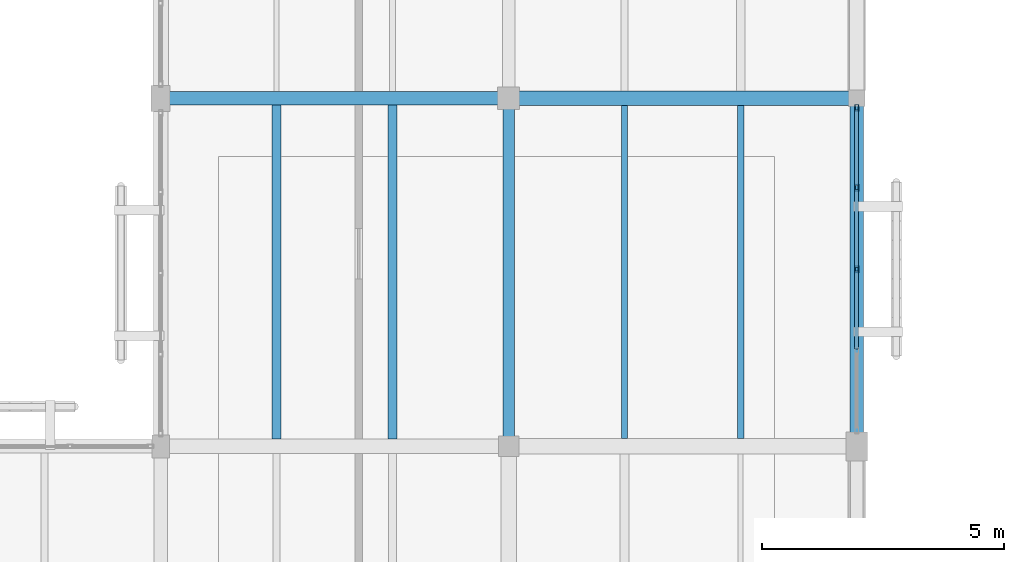
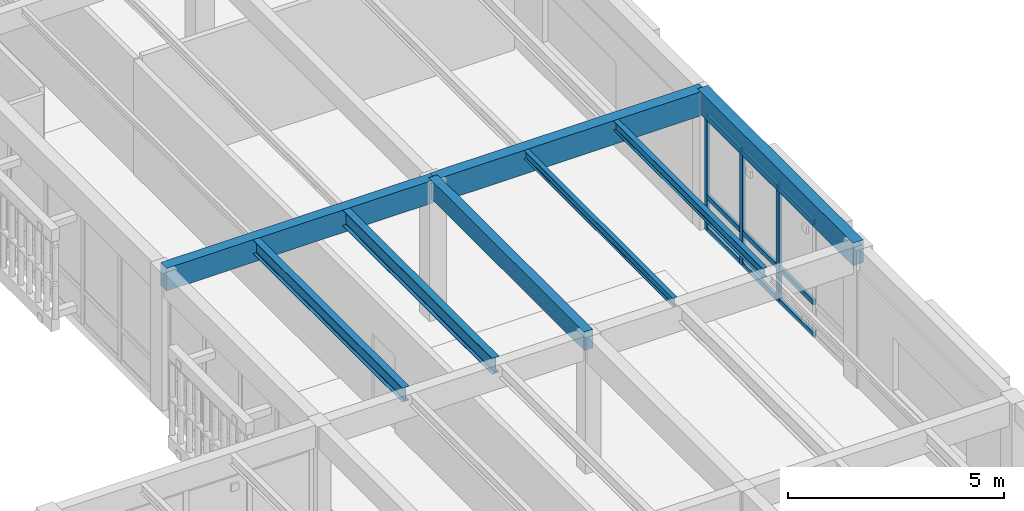
# One storey, part 35 of 217: 12 members, 8 beams, 1 element without a shape of its own.
"""IFC4 building model written with IfcOpenShell, lengths in metres."""

from ifc_helpers import new_model, si_unit, direction, frame, origin, origin_2d, place, context, subcontext, project, spatial, rectangle, hollow_rectangle, i_section, extrude, material, layer, layer_set, material_profile, profile_set, type_object, element, aggregate, save


model = new_model("IFC4")

# Units and contexts
model_context = context("Model", 3, precision=1e-05, world=origin(), true_north=direction((0.0, 1.0)))
body_context = subcontext(model_context, "Body", "Model", "MODEL_VIEW")
ifc_project = project(units=[si_unit("LENGTHUNIT", "METRE"), si_unit("AREAUNIT", "SQUARE_METRE"), si_unit("VOLUMEUNIT", "CUBIC_METRE"), si_unit("PLANEANGLEUNIT", "RADIAN"), si_unit("MASSUNIT", "GRAM", prefix="KILO")], contexts=[model_context])

# Site, building, storey
site_placement = place(None, origin())
site = spatial("IfcSite", under=ifc_project, at=site_placement, CompositionType="ELEMENT")
building_placement = place(site_placement, origin())
building = spatial("IfcBuilding", under=site, at=building_placement, Name="Mazaris Harbour Polytechnic", CompositionType="ELEMENT")
storey_placement = place(building_placement, frame((0.0, 0.0, 9.60009765625)))
storey = spatial("IfcBuildingStorey", under=building, at=storey_placement, Name="L02", CompositionType="ELEMENT", Elevation=9.60009765625)

# Curtain wall, members
ifc_material_1 = material(Name="Anodised Bronze Aluminium and Low-E Glass", Category="aluminium")
ifc_layer = layer(ifc_material_1, 0.159912109375, Name="Anodised Bronze Aluminium and Low-E Glass")
ifc_layer_set = layer_set([ifc_layer], Name="Anodised Bronze Aluminium and Low-E Glass")
curtain_wall_type = type_object("IfcCurtainWallType", Name="Cloister Court Curtain Wall", PredefinedType="NOTDEFINED", material=ifc_layer_set)
curtain_wall_placement = place(storey_placement, origin())
curtain_wall = element("IfcCurtainWall", 1, at=curtain_wall_placement, inside=storey, type_object=curtain_wall_type, Name="V4 L02 Curtain Wall 129", PredefinedType="NOTDEFINED")
ifc_material_2 = material(Name="Anodised Bronze Steel S355", Category="steel")
ifc_material_profile_1 = material_profile(ifc_material_2, hollow_rectangle(XDim=0.080078125, YDim=0.139892578125, WallThickness=0.00634765625, at=origin_2d()), Name="RHS 80x140x6.3")
ifc_profile_set_1 = profile_set([ifc_material_profile_1], Name="Anodised Bronze Steel S355")
member_type_1 = type_object("IfcMemberType", Name="Curtain Mullion RHS80x140", PredefinedType="MULLION", material=ifc_profile_set_1)
member_1_placement = place(storey_placement, frame((43.199951171875, 42.998046875, 0.0), z_axis=(0.0, 0.0, 1.0), x_axis=(1.0, 0.0, 0.0)))
member_1 = element("IfcMember", 2, at=member_1_placement, type_object=member_type_1, Name="CW-02 mullion 1", PredefinedType="MULLION", context=body_context, shape_type="SweptSolid", body=[
    extrude(hollow_rectangle(XDim=0.080078125, YDim=0.139892578125, WallThickness=0.00634765625, at=origin_2d()), origin(), (0.0, 0.0, 1.0), 3.239990234375),
])
member_2_placement = place(storey_placement, frame((43.199951171875, 41.3515625, 0.0), z_axis=(0.0, 0.0, 1.0), x_axis=(1.0, 0.0, 0.0)))
member_2 = element("IfcMember", 3, at=member_2_placement, type_object=member_type_1, Name="CW-02 mullion 2", PredefinedType="MULLION", context=body_context, shape_type="SweptSolid", body=[
    extrude(hollow_rectangle(XDim=0.080078125, YDim=0.139892578125, WallThickness=0.00634765625, at=origin_2d()), origin(), (0.0, 0.0, 1.0), 3.239990234375),
])
member_3_placement = place(storey_placement, frame((43.199951171875, 39.6650390625, 0.0), z_axis=(0.0, 0.0, 1.0), x_axis=(1.0, 0.0, 0.0)))
member_3 = element("IfcMember", 4, at=member_3_placement, type_object=member_type_1, Name="CW-02 mullion 3", PredefinedType="MULLION", context=body_context, shape_type="SweptSolid", body=[
    extrude(hollow_rectangle(XDim=0.080078125, YDim=0.139892578125, WallThickness=0.00634765625, at=origin_2d()), origin(), (0.0, 0.0, 1.0), 3.239990234375),
])
ifc_material_3 = material(Name="Anodised Bronze Steel S355", Category="steel")
ifc_material_profile_2 = material_profile(ifc_material_3, hollow_rectangle(XDim=0.080078125, YDim=0.139892578125, WallThickness=0.00634765625, at=origin_2d()), Name="RHS 80x140x6.3")
ifc_profile_set_2 = profile_set([ifc_material_profile_2], Name="Anodised Bronze Steel S355")
member_type_2 = type_object("IfcMemberType", Name="Curtain Transom RHS80x140", PredefinedType="USERDEFINED", material=ifc_profile_set_2)
member_4_placement = place(storey_placement, frame((43.199951171875, 42.9580078125, 0.039794921875), z_axis=(0.0, -1.0, 0.0), x_axis=(1.0, 0.0, 0.0)))
member_4 = element("IfcMember", 5, at=member_4_placement, type_object=member_type_2, Name="CW-02 transom 1.1", ObjectType="TRANSOM", PredefinedType="USERDEFINED", context=body_context, shape_type="SweptSolid", body=[
    extrude(hollow_rectangle(XDim=0.080078125, YDim=0.139892578125, WallThickness=0.00634765625, at=origin_2d()), origin(), (0.0, 0.0, 1.0), 1.56640625),
])
member_5_placement = place(storey_placement, frame((43.199951171875, 42.9580078125, 0.949951171875), z_axis=(0.0, -1.0, 0.0), x_axis=(1.0, 0.0, 0.0)))
member_5 = element("IfcMember", 6, at=member_5_placement, type_object=member_type_2, Name="CW-02 transom 1.2", ObjectType="TRANSOM", PredefinedType="USERDEFINED", context=body_context, shape_type="SweptSolid", body=[
    extrude(hollow_rectangle(XDim=0.080078125, YDim=0.139892578125, WallThickness=0.00634765625, at=origin_2d()), origin(), (0.0, 0.0, 1.0), 1.56640625),
])
member_6_placement = place(storey_placement, frame((43.199951171875, 42.9580078125, 3.199951171875), z_axis=(0.0, -1.0, 0.0), x_axis=(1.0, 0.0, 0.0)))
member_6 = element("IfcMember", 7, at=member_6_placement, type_object=member_type_2, Name="CW-02 transom 1.3", ObjectType="TRANSOM", PredefinedType="USERDEFINED", context=body_context, shape_type="SweptSolid", body=[
    extrude(hollow_rectangle(XDim=0.080078125, YDim=0.139892578125, WallThickness=0.00634765625, at=origin_2d()), origin(), (0.0, 0.0, 1.0), 1.56640625),
])
member_7_placement = place(storey_placement, frame((43.199951171875, 41.3115234375, 0.039794921875), z_axis=(0.0, -1.0, 0.0), x_axis=(1.0, 0.0, 0.0)))
member_7 = element("IfcMember", 8, at=member_7_placement, type_object=member_type_2, Name="CW-02 transom 2.1", ObjectType="TRANSOM", PredefinedType="USERDEFINED", context=body_context, shape_type="SweptSolid", body=[
    extrude(hollow_rectangle(XDim=0.080078125, YDim=0.139892578125, WallThickness=0.00634765625, at=origin_2d()), origin(), (0.0, 0.0, 1.0), 1.6064453125),
])
member_8_placement = place(storey_placement, frame((43.199951171875, 41.3115234375, 0.949951171875), z_axis=(0.0, -1.0, 0.0), x_axis=(1.0, 0.0, 0.0)))
member_8 = element("IfcMember", 9, at=member_8_placement, type_object=member_type_2, Name="CW-02 transom 2.2", ObjectType="TRANSOM", PredefinedType="USERDEFINED", context=body_context, shape_type="SweptSolid", body=[
    extrude(hollow_rectangle(XDim=0.080078125, YDim=0.139892578125, WallThickness=0.00634765625, at=origin_2d()), origin(), (0.0, 0.0, 1.0), 1.6064453125),
])
member_9_placement = place(storey_placement, frame((43.199951171875, 41.3115234375, 3.199951171875), z_axis=(0.0, -1.0, 0.0), x_axis=(1.0, 0.0, 0.0)))
member_9 = element("IfcMember", 10, at=member_9_placement, type_object=member_type_2, Name="CW-02 transom 2.3", ObjectType="TRANSOM", PredefinedType="USERDEFINED", context=body_context, shape_type="SweptSolid", body=[
    extrude(hollow_rectangle(XDim=0.080078125, YDim=0.139892578125, WallThickness=0.00634765625, at=origin_2d()), origin(), (0.0, 0.0, 1.0), 1.6064453125),
])
member_10_placement = place(storey_placement, frame((43.199951171875, 39.625, 0.039794921875), z_axis=(0.0, -1.0, 0.0), x_axis=(1.0, 0.0, 0.0)))
member_10 = element("IfcMember", 11, at=member_10_placement, type_object=member_type_2, Name="CW-02 transom 3.1", ObjectType="TRANSOM", PredefinedType="USERDEFINED", context=body_context, shape_type="SweptSolid", body=[
    extrude(hollow_rectangle(XDim=0.080078125, YDim=0.139892578125, WallThickness=0.00634765625, at=origin_2d()), origin(), (0.0, 0.0, 1.0), 1.6064453125),
])
member_11_placement = place(storey_placement, frame((43.199951171875, 39.625, 0.949951171875), z_axis=(0.0, -1.0, 0.0), x_axis=(1.0, 0.0, 0.0)))
member_11 = element("IfcMember", 12, at=member_11_placement, type_object=member_type_2, Name="CW-02 transom 3.2", ObjectType="TRANSOM", PredefinedType="USERDEFINED", context=body_context, shape_type="SweptSolid", body=[
    extrude(hollow_rectangle(XDim=0.080078125, YDim=0.139892578125, WallThickness=0.00634765625, at=origin_2d()), origin(), (0.0, 0.0, 1.0), 1.6064453125),
])
member_12_placement = place(storey_placement, frame((43.199951171875, 39.625, 3.199951171875), z_axis=(0.0, -1.0, 0.0), x_axis=(1.0, 0.0, 0.0)))
member_12 = element("IfcMember", 13, at=member_12_placement, type_object=member_type_2, Name="CW-02 transom 3.3", ObjectType="TRANSOM", PredefinedType="USERDEFINED", context=body_context, shape_type="SweptSolid", body=[
    extrude(hollow_rectangle(XDim=0.080078125, YDim=0.139892578125, WallThickness=0.00634765625, at=origin_2d()), origin(), (0.0, 0.0, 1.0), 1.6064453125),
])
aggregate(curtain_wall, [member_1, member_2, member_3, member_4, member_5, member_6, member_7, member_8, member_9, member_10, member_11, member_12])

# Beams
ifc_material_4 = material(Name="Glulam GL32h", Category="wood")
ifc_material_profile_3 = material_profile(ifc_material_4, rectangle(XDim=0.239990234375, YDim=0.52001953125, at=origin_2d()), Name="RECT240x520")
ifc_profile_set_3 = profile_set([ifc_material_profile_3], Name="Glulam GL32h")
beam_type_1 = type_object("IfcBeamType", Name="Glulam Girder 240x520", PredefinedType="BEAM", material=ifc_profile_set_3)
beam_1_placement = place(storey_placement, frame((36.0, 36.0, 3.6298828125), z_axis=(0.0, 1.0, 0.0), x_axis=(-1.0, 0.0, 0.0)))
element("IfcBeam", 14, at=beam_1_placement, inside=storey, type_object=beam_type_1, Name="V4 L02 Tie Girder 2025", PredefinedType="BEAM", context=body_context, shape_type="SweptSolid", body=[
    extrude(rectangle(XDim=0.239990234375, YDim=0.52001953125, at=origin_2d()), origin(), (0.0, 0.0, 1.0), 7.199951171875),
])
ifc_material_5 = material(Name="Glulam GL32h", Category="wood")
ifc_material_profile_4 = material_profile(ifc_material_5, rectangle(XDim=0.280029296875, YDim=0.639892578125, at=origin_2d()), Name="RECT280x640")
ifc_profile_set_4 = profile_set([ifc_material_profile_4], Name="Glulam GL32h")
beam_type_2 = type_object("IfcBeamType", Name="Glulam Girder 280x640", PredefinedType="BEAM", material=ifc_profile_set_4)
beam_2_placement = place(storey_placement, frame((28.800048828125, 43.199951171875, 3.56982421875), z_axis=(1.0, 0.0, 0.0), x_axis=(0.0, 1.0, 0.0)))
element("IfcBeam", 15, at=beam_2_placement, inside=storey, type_object=beam_type_2, Name="V4 L02 Girder 1927", PredefinedType="BEAM", context=body_context, shape_type="SweptSolid", body=[
    extrude(rectangle(XDim=0.280029296875, YDim=0.639892578125, at=origin_2d()), origin(), (0.0, 0.0, 1.0), 7.199951171875),
])
ifc_material_6 = material(Name="Glulam GL32h", Category="wood")
ifc_material_profile_5 = material_profile(ifc_material_6, rectangle(XDim=0.280029296875, YDim=0.639892578125, at=origin_2d()), Name="RECT280x640")
ifc_profile_set_5 = profile_set([ifc_material_profile_5], Name="Glulam GL32h")
beam_type_3 = type_object("IfcBeamType", Name="Glulam Girder 280x640 Exterior", PredefinedType="BEAM", material=ifc_profile_set_5)
beam_3_placement = place(storey_placement, frame((43.199951171875, 36.0, 3.56982421875), z_axis=(0.0, 1.0, 0.0), x_axis=(-1.0, 0.0, 0.0)))
element("IfcBeam", 16, at=beam_3_placement, inside=storey, type_object=beam_type_3, Name="V4 L02 Tie Girder 2037", PredefinedType="BEAM", context=body_context, shape_type="SweptSolid", body=[
    extrude(rectangle(XDim=0.280029296875, YDim=0.639892578125, at=origin_2d()), origin(), (0.0, 0.0, 1.0), 7.199951171875),
])
ifc_material_7 = material(Name="Glulam GL32h", Category="wood")
ifc_material_profile_6 = material_profile(ifc_material_7, rectangle(XDim=0.300048828125, YDim=0.679931640625, at=origin_2d()), Name="RECT300x680")
ifc_profile_set_6 = profile_set([ifc_material_profile_6], Name="Glulam GL32h")
beam_type_4 = type_object("IfcBeamType", Name="Glulam Girder 300x680", PredefinedType="BEAM", material=ifc_profile_set_6)
beam_4_placement = place(storey_placement, frame((36.0, 43.199951171875, 3.5498046875), z_axis=(1.0, 0.0, 0.0), x_axis=(0.0, 1.0, 0.0)))
element("IfcBeam", 17, at=beam_4_placement, inside=storey, type_object=beam_type_4, Name="V4 L02 Girder 1928", PredefinedType="BEAM", context=body_context, shape_type="SweptSolid", body=[
    extrude(rectangle(XDim=0.300048828125, YDim=0.679931640625, at=origin_2d()), origin(), (0.0, 0.0, 1.0), 7.199951171875),
])
ifc_material_8 = material(Name="Steel S355", Category="steel")
ifc_material_profile_7 = material_profile(ifc_material_8, i_section(OverallWidth=0.1201171875, OverallDepth=0.239990234375, WebThickness=0.006103515625, FlangeThickness=0.009765625, FilletRadius=0.014892578125, at=origin_2d()), Name="IPE 240")
ifc_profile_set_7 = profile_set([ifc_material_profile_7], Name="Steel S355")
beam_type_5 = type_object("IfcBeamType", Name="Steel Joist IPE240", PredefinedType="JOIST", material=ifc_profile_set_7)
beam_5_placement = place(storey_placement, frame((38.39990234375, 36.159912109375, 3.77001953125), z_axis=(0.0, 1.0, 0.0), x_axis=(-1.0, 0.0, 0.0)))
element("IfcBeam", 18, at=beam_5_placement, inside=storey, type_object=beam_type_5, Name="V4 L02 Floor Joist 2150", PredefinedType="JOIST", context=body_context, shape_type="SweptSolid", body=[
    extrude(i_section(OverallWidth=0.1201171875, OverallDepth=0.239990234375, WebThickness=0.006103515625, FlangeThickness=0.009765625, FilletRadius=0.014892578125, at=origin_2d()), origin(), (0.0, 0.0, 1.0), 6.89013671875),
])
ifc_material_9 = material(Name="Steel S355", Category="steel")
ifc_material_profile_8 = material_profile(ifc_material_9, i_section(OverallWidth=0.135009765625, OverallDepth=0.27001953125, WebThickness=0.006591796875, FlangeThickness=0.01025390625, FilletRadius=0.014892578125, at=origin_2d()), Name="IPE 270")
ifc_profile_set_8 = profile_set([ifc_material_profile_8], Name="Steel S355")
beam_type_6 = type_object("IfcBeamType", Name="Steel Joist IPE270", PredefinedType="JOIST", material=ifc_profile_set_8)
beam_6_placement = place(storey_placement, frame((40.800048828125, 36.159912109375, 3.7548828125), z_axis=(0.0, 1.0, 0.0), x_axis=(-1.0, 0.0, 0.0)))
element("IfcBeam", 19, at=beam_6_placement, inside=storey, type_object=beam_type_6, Name="V4 L02 Floor Joist 2151", PredefinedType="JOIST", context=body_context, shape_type="SweptSolid", body=[
    extrude(i_section(OverallWidth=0.135009765625, OverallDepth=0.27001953125, WebThickness=0.006591796875, FlangeThickness=0.01025390625, FilletRadius=0.014892578125, at=origin_2d()), origin(), (0.0, 0.0, 1.0), 6.89013671875),
])
ifc_material_10 = material(Name="Steel S355", Category="steel")
ifc_material_profile_9 = material_profile(ifc_material_10, i_section(OverallWidth=0.179931640625, OverallDepth=0.39990234375, WebThickness=0.008544921875, FlangeThickness=0.013427734375, FilletRadius=0.02099609375, at=origin_2d()), Name="IPE 400")
ifc_profile_set_9 = profile_set([ifc_material_profile_9], Name="Steel S355")
beam_type_7 = type_object("IfcBeamType", Name="Steel Joist IPE400", PredefinedType="JOIST", material=ifc_profile_set_9)
beam_7_placement = place(storey_placement, frame((31.199951171875, 36.14990234375, 3.68994140625), z_axis=(0.0, 1.0, 0.0), x_axis=(-1.0, 0.0, 0.0)))
element("IfcBeam", 20, at=beam_7_placement, inside=storey, type_object=beam_type_7, Name="V4 L02 Floor Joist 2126", PredefinedType="JOIST", context=body_context, shape_type="SweptSolid", body=[
    extrude(i_section(OverallWidth=0.179931640625, OverallDepth=0.39990234375, WebThickness=0.008544921875, FlangeThickness=0.013427734375, FilletRadius=0.02099609375, at=origin_2d()), origin(), (0.0, 0.0, 1.0), 6.91015625),
])
ifc_material_11 = material(Name="Steel S355", Category="steel")
ifc_material_profile_10 = material_profile(ifc_material_11, i_section(OverallWidth=0.18994140625, OverallDepth=0.449951171875, WebThickness=0.009521484375, FlangeThickness=0.0146484375, FilletRadius=0.02099609375, at=origin_2d()), Name="IPE 450")
ifc_profile_set_10 = profile_set([ifc_material_profile_10], Name="Steel S355")
beam_type_8 = type_object("IfcBeamType", Name="Steel Joist IPE450", PredefinedType="JOIST", material=ifc_profile_set_10)
beam_8_placement = place(storey_placement, frame((33.60009765625, 36.14990234375, 3.664794921875), z_axis=(0.0, 1.0, 0.0), x_axis=(-1.0, 0.0, 0.0)))
element("IfcBeam", 21, at=beam_8_placement, inside=storey, type_object=beam_type_8, Name="V4 L02 Floor Joist 2127", PredefinedType="JOIST", context=body_context, shape_type="SweptSolid", body=[
    extrude(i_section(OverallWidth=0.18994140625, OverallDepth=0.449951171875, WebThickness=0.009521484375, FlangeThickness=0.0146484375, FilletRadius=0.02099609375, at=origin_2d()), origin(), (0.0, 0.0, 1.0), 6.91015625),
])

save(model, "model.ifc")
